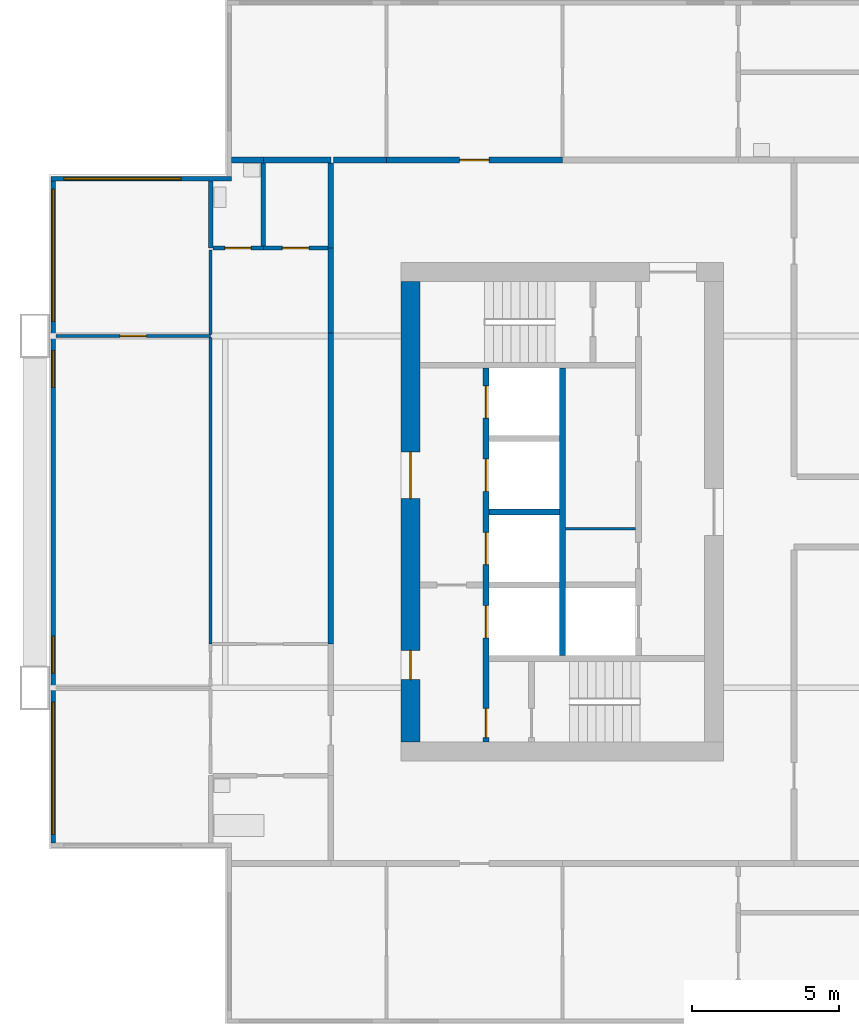
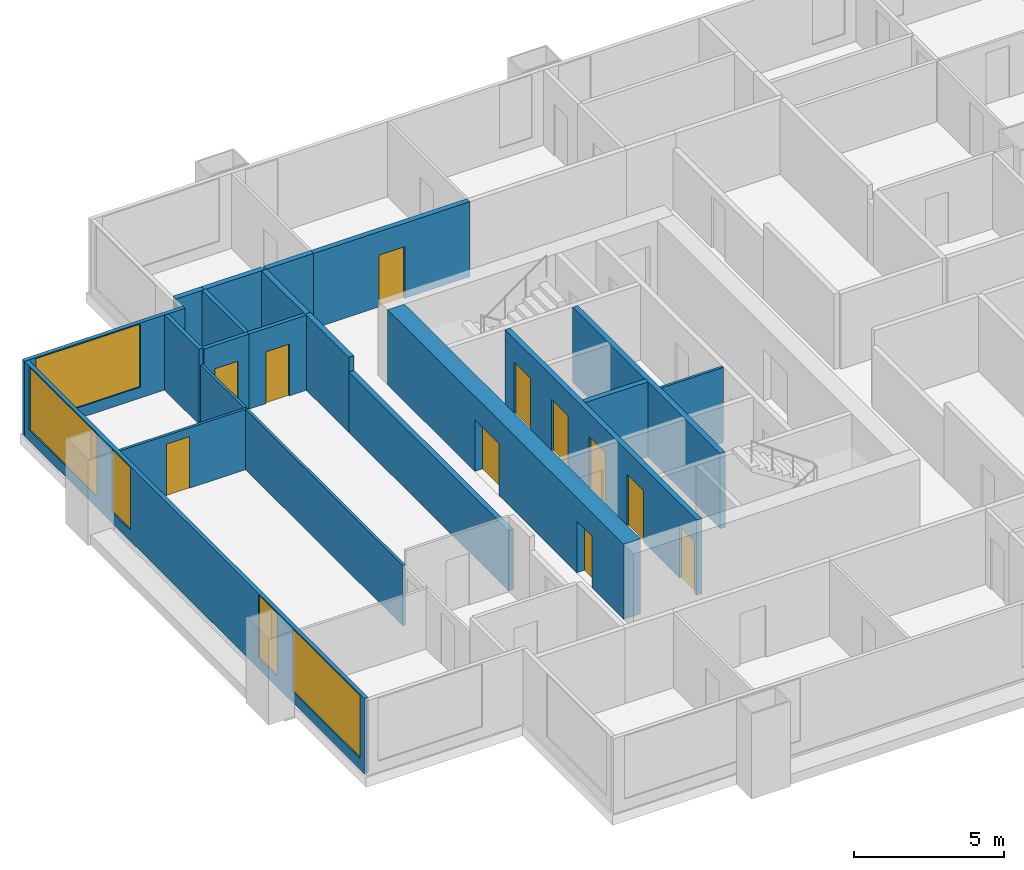
# One storey, part 3 of 11: 21 walls, 11 doors, 5 windows, 16 openings.
"""IFC4 building model written with IfcOpenShell, lengths in metres."""

import ifcopenshell
import ifcopenshell.guid

model = None  # the IFC model being written
_history = None  # IfcOwnerHistory: only IFC2X3 demands one
_inside = {}  # id of a spatial element -> (the spatial element, [elements in it])
_under = {}  # id of a project, library or spatial element -> (it, [spatial elements below it])
_declared = {}  # id of a project -> (the project, [libraries it declares])
_typed = {}  # id of a type object -> (the type object, [elements of that type])
_made_of = {}  # id of a material, layer set ... -> (it, [elements and type objects made of it])


def new_model(schema):
    """Start an empty IFC model of exactly this schema.

    Asked for "IFC4X3", IfcOpenShell would pick the latest addendum, in which some entities
    have other attributes; the version numbers below select the first issue.
    IFC2X3 requires an IfcOwnerHistory on every rooted entity: one is made here for all.
    """
    global model, _history
    if schema == "IFC4X3":
        model = ifcopenshell.file(schema_version=(4, 3, 0, 0))
    else:
        model = ifcopenshell.file(schema=schema)
    _inside.clear()
    _under.clear()
    _declared.clear()
    _typed.clear()
    _made_of.clear()
    _history = None
    if model.schema == "IFC2X3":
        org = make("IfcOrganization", Name="unknown")
        user = make(
            "IfcPersonAndOrganization",
            ThePerson=make("IfcPerson", FamilyName="unknown"),
            TheOrganization=org,
        )
        app = make(
            "IfcApplication",
            ApplicationDeveloper=org,
            Version="unknown",
            ApplicationFullName="unknown",
            ApplicationIdentifier="unknown",
        )
        _history = make(
            "IfcOwnerHistory",
            OwningUser=user,
            OwningApplication=app,
            ChangeAction="ADDED",
            CreationDate=0,
        )
    return model


def make(cls, **values):
    """One entity of the class cls with the attributes given. An attribute that is None is left unset."""
    return model.create_entity(
        cls, **{name: value for name, value in values.items() if value is not None}
    )


def rooted(cls, **values):
    """An entity with a GlobalId (a new one), such as an element, a storey or a relation."""
    return make(cls, GlobalId=ifcopenshell.guid.new(), OwnerHistory=_history, **values)


def si_unit(unit_type, name, prefix=None):
    """IfcSIUnit, for example si_unit("LENGTHUNIT", "METRE", prefix="MILLI")."""
    return make("IfcSIUnit", UnitType=unit_type, Prefix=prefix, Name=name)


def assignment(units):
    """IfcUnitAssignment: the units of a project."""
    return None if units is None else make("IfcUnitAssignment", Units=units)


def point(xyz):
    """IfcCartesianPoint."""
    return None if xyz is None else make("IfcCartesianPoint", Coordinates=xyz)


def direction(xyz):
    """IfcDirection."""
    return None if xyz is None else make("IfcDirection", DirectionRatios=xyz)


def frame(location, z_axis=None, x_axis=None):
    """IfcAxis2Placement3D, a coordinate frame: its origin and axes. An axis left out is left unset."""
    return make(
        "IfcAxis2Placement3D",
        Location=point(location),
        Axis=direction(z_axis),
        RefDirection=direction(x_axis),
    )


def frame_2d(location, x_axis=None):
    """IfcAxis2Placement2D, a coordinate frame in the plane: its origin and x axis."""
    return make(
        "IfcAxis2Placement2D", Location=point(location), RefDirection=direction(x_axis)
    )


def origin():
    """The frame at (0, 0, 0) with its axes left unset."""
    return frame((0.0, 0.0, 0.0))


def place(relative_to, where):
    """IfcLocalPlacement: puts the frame where relative to a parent placement (None: the world)."""
    return make(
        "IfcLocalPlacement", PlacementRelTo=relative_to, RelativePlacement=where
    )


def context(
    kind, dimensions, precision=None, world=None, true_north=None, identifier=None
):
    """IfcGeometricRepresentationContext, for example the 3D "Model" context."""
    return make(
        "IfcGeometricRepresentationContext",
        ContextIdentifier=identifier,
        ContextType=kind,
        CoordinateSpaceDimension=dimensions,
        Precision=precision,
        WorldCoordinateSystem=world,
        TrueNorth=true_north,
    )


def subcontext(parent, identifier, kind, view, scale=None):
    """IfcGeometricRepresentationSubContext, for example "Body" below "Model"."""
    return make(
        "IfcGeometricRepresentationSubContext",
        ContextIdentifier=identifier,
        ContextType=kind,
        ParentContext=parent,
        TargetScale=scale,
        TargetView=view,
    )


def project(units=None, contexts=None):
    """IfcProject with its units and contexts."""
    return rooted(
        "IfcProject",
        Name="project",
        RepresentationContexts=contexts,
        UnitsInContext=assignment(units),
    )


def spatial(cls, under=None, at=None, **own):
    """A site, building, storey or space (cls), placed at a placement, below another one or the project."""
    s = rooted(cls, ObjectPlacement=at, **own)
    if under is not None:
        _under.setdefault(under.id(), (under, []))[1].append(s)
    return s


def profile(cls, at=None, kind="AREA", **sizes):
    """A parametric profile (cls). Its sizes go by their IFC names, for example OverallWidth=200.0."""
    return make(cls, ProfileType=kind, Position=at, **sizes)


def rectangle(**sizes):
    """IfcRectangleProfileDef."""
    return profile("IfcRectangleProfileDef", **sizes)


def extrude(swept, where, along, depth):
    """IfcExtrudedAreaSolid: the profile swept, set in the frame where, extruded along a direction by depth."""
    return make(
        "IfcExtrudedAreaSolid",
        SweptArea=swept,
        Position=where,
        ExtrudedDirection=direction(along),
        Depth=depth,
    )


def shape(context_of_items, identifier, shape_type, items):
    """IfcShapeRepresentation: the items that make up one representation, for example the "Body"."""
    return make(
        "IfcShapeRepresentation",
        ContextOfItems=context_of_items,
        RepresentationIdentifier=identifier,
        RepresentationType=shape_type,
        Items=items,
    )


def material(Name=None, Category=None):
    """IfcMaterial."""
    return make("IfcMaterial", Name=Name, Category=Category)


def layer(
    of_material, thickness, ventilated=None, Name=None, Category=None, Priority=None
):
    """IfcMaterialLayer: one layer of a wall or slab, of a material (None: an air gap)."""
    return make(
        "IfcMaterialLayer",
        Material=of_material,
        LayerThickness=thickness,
        IsVentilated=ventilated,
        Name=Name,
        Category=Category,
        Priority=Priority,
    )


def layer_set(layers, Name=None):
    """IfcMaterialLayerSet."""
    return make("IfcMaterialLayerSet", MaterialLayers=layers, LayerSetName=Name)


def made_of(thing, what):
    """Note that an element or type object is made of a material, layer set ...; save() writes the relation."""
    if what is not None:
        _made_of.setdefault(what.id(), (what, []))[1].append(thing)
    return thing


def type_object(cls, material=None, **own):
    """A type object (cls), such as IfcWallType, which elements share."""
    return made_of(rooted(cls, **own), material)


def element(
    cls,
    number,
    at=None,
    inside=None,
    cuts=None,
    type_object=None,
    material=None,
    context=None,
    identifier="Body",
    shape_type=None,
    held_by="IfcProductDefinitionShape",
    body=None,
    shapes=None,
    **own,
):
    """One element of the class cls, such as IfcWall. Its Tag is "e" and its number.

    at: its placement. inside: the storey or other place that contains it. cuts: it is an
    opening in that element (IfcRelVoidsElement). A single representation is given by context,
    identifier, shape_type and body (its items); several are given by shapes. held_by: the class
    of the entity that holds the representations. save() writes the other relations.
    """
    e = rooted(cls, Tag="e%d" % number, ObjectPlacement=at, **own)
    if body is not None:
        shapes = [shape(context, identifier, shape_type, body)]
    if shapes is not None:
        e.Representation = make(held_by, Representations=shapes)
    if inside is not None:
        _inside.setdefault(inside.id(), (inside, []))[1].append(e)
    if cuts is not None:
        rooted(
            "IfcRelVoidsElement", RelatingBuildingElement=cuts, RelatedOpeningElement=e
        )
    if type_object is not None:
        _typed.setdefault(type_object.id(), (type_object, []))[1].append(e)
    return made_of(e, material)


def fill(opening, filler):
    """IfcRelFillsElement: the door or window that sits in an opening."""
    return rooted(
        "IfcRelFillsElement",
        RelatingOpeningElement=opening,
        RelatedBuildingElement=filler,
    )


def aggregate(whole, parts):
    """IfcRelAggregates: a whole, such as a stair, and the parts it consists of."""
    return rooted("IfcRelAggregates", RelatingObject=whole, RelatedObjects=parts)


def save(model, path):
    """Write the relations noted so far, then the file.

    IfcRelAggregates (storeys below a building ...), IfcRelContainedInSpatialStructure (elements
    in a storey), IfcRelDefinesByType, IfcRelAssociatesMaterial and IfcRelDeclares: one each for
    every whole, place, type object, material and project.
    """
    for whole, parts in _under.values():
        aggregate(whole, parts)
    for where, things in _inside.values():
        rooted(
            "IfcRelContainedInSpatialStructure",
            RelatedElements=things,
            RelatingStructure=where,
        )
    for kind, things in _typed.values():
        rooted("IfcRelDefinesByType", RelatedObjects=things, RelatingType=kind)
    for what, things in _made_of.values():
        rooted("IfcRelAssociatesMaterial", RelatedObjects=things, RelatingMaterial=what)
    for by, libraries in _declared.values():
        rooted("IfcRelDeclares", RelatingContext=by, RelatedDefinitions=libraries)
    model.write(path)


model = new_model("IFC4")

# Units and contexts
model_context = context("Model", 3, precision=1e-05, world=origin(), true_north=direction((0.0, 1.0)))
body_context = subcontext(model_context, "Body", "Model", "MODEL_VIEW")
ifc_project = project(units=[si_unit("LENGTHUNIT", "METRE"), si_unit("AREAUNIT", "SQUARE_METRE"), si_unit("VOLUMEUNIT", "CUBIC_METRE"), si_unit("PLANEANGLEUNIT", "RADIAN"), si_unit("MASSUNIT", "GRAM", prefix="KILO")], contexts=[model_context])

# Site, building, storey
site_placement = place(None, origin())
site = spatial("IfcSite", under=ifc_project, at=site_placement, CompositionType="ELEMENT")
building_placement = place(site_placement, origin())
building = spatial("IfcBuilding", under=site, at=building_placement, Name="Kitamizu Gate Tower and Museum", CompositionType="ELEMENT")
storey_placement = place(building_placement, frame((0.0, 0.0, 106.949951171875)))
storey = spatial("IfcBuildingStorey", under=building, at=storey_placement, Name="L27", CompositionType="ELEMENT", Elevation=106.949951171875)

# Wall, openings, doors
ifc_material_1 = material(Name="Concrete Fc60", Category="concrete")
ifc_layer_1 = layer(ifc_material_1, 0.64990234375)
ifc_layer_set_1 = layer_set([ifc_layer_1], Name="Concrete Fc60")
wall_type_1 = type_object("IfcWallType", Name="Core wall 650", PredefinedType="SHEAR", material=ifc_layer_set_1)
wall_1_placement = place(storey_placement, frame((12.824951171875, 22.14990234375, 0.0), z_axis=(0.0, 0.0, 1.0), x_axis=(0.0, 1.0, 0.0)))
wall_1 = element("IfcWall", 1, at=wall_1_placement, inside=storey, type_object=wall_type_1, Name="Core wall WOUT", PredefinedType="SHEAR", context=body_context, shape_type="SweptSolid", body=[
    extrude(rectangle(XDim=15.7001953125, YDim=0.64990234375, at=frame_2d((7.85009765625, 0.0))), origin(), (0.0, 0.0, 1.0), 3.050048828125),
])
opening_1_placement = place(wall_1_placement, frame((8.300048828125, 0.0, 0.0)))
opening_1 = element("IfcOpeningElement", 2, at=opening_1_placement, cuts=wall_1, Name="Opening L27-058", PredefinedType="OPENING", context=body_context, shape_type="SweptSolid", body=[
    extrude(rectangle(XDim=1.60009765625, YDim=2.10009765625, at=frame_2d((0.800048828125, 1.050048828125))), frame((0.0, 0.3349609375, 0.0), z_axis=(0.0, -1.0, 0.0), x_axis=(1.0, 0.0, 0.0)), (0.0, 0.0, 1.0), 0.669921875),
])
opening_2_placement = place(wall_1_placement, frame((2.125, 0.0, 0.0)))
opening_2 = element("IfcOpeningElement", 3, at=opening_2_placement, cuts=wall_1, Name="Opening L27-059", PredefinedType="OPENING", context=body_context, shape_type="SweptSolid", body=[
    extrude(rectangle(XDim=1.0, YDim=2.10009765625, at=frame_2d((0.5, 1.050048828125))), frame((0.0, 0.3349609375, 0.0), z_axis=(0.0, -1.0, 0.0), x_axis=(1.0, 0.0, 0.0)), (0.0, 0.0, 1.0), 0.669921875),
])
ifc_material_2 = material(Name="Timber door set", Category="wood")
door_type_1 = type_object("IfcDoorType", Name="Entrance door 1600", OperationType="DOUBLE_DOOR_SINGLE_SWING", PredefinedType="DOOR", material=ifc_material_2)
door_1_placement = place(opening_1_placement, origin())
door_1 = element("IfcDoor", 4, at=door_1_placement, inside=storey, type_object=door_type_1, Name="Lobby door L27-058", OperationType="DOUBLE_DOOR_SINGLE_SWING", OverallHeight=2.10009765625, OverallWidth=1.60009765625, PredefinedType="DOOR", context=body_context, shape_type="SweptSolid", body=[
    extrude(rectangle(XDim=1.60009765625, YDim=2.10009765625, at=frame_2d((0.800048828125, 1.050048828125))), frame((0.0, 0.02490234375, 0.0), z_axis=(0.0, -1.0, 0.0), x_axis=(1.0, 0.0, 0.0)), (0.0, 0.0, 1.0), 0.050048828125),
])
fill(opening_1, door_1)
ifc_material_3 = material(Name="Hollow metal door set")
door_type_2 = type_object("IfcDoorType", Name="Fire door 1000", OperationType="NOTDEFINED", PredefinedType="DOOR", material=ifc_material_3)
door_2_placement = place(opening_2_placement, frame((1.0, 0.0, 0.0), x_axis=(-1.0, 0.0, 0.0)))
door_2 = element("IfcDoor", 5, at=door_2_placement, inside=storey, type_object=door_type_2, Name="Fire-fighting lobby door L27-059", OperationType="SINGLE_SWING_RIGHT", OverallHeight=2.10009765625, OverallWidth=1.0, PredefinedType="DOOR", context=body_context, shape_type="SweptSolid", body=[
    extrude(rectangle(XDim=1.0, YDim=2.10009765625, at=frame_2d((0.5, 1.050048828125))), frame((0.0, 0.02490234375, 0.0), z_axis=(0.0, -1.0, 0.0), x_axis=(1.0, 0.0, 0.0)), (0.0, 0.0, 1.0), 0.050048828125),
])
fill(opening_2, door_2)

# Wall
ifc_material_4 = material(Name="Gypsum board on galvanised stud")
ifc_layer_2 = layer(ifc_material_4, 0.10009765625)
ifc_layer_set_2 = layer_set([ifc_layer_2], Name="Gypsum board on galvanised stud")
wall_type_2 = type_object("IfcWallType", Name="Partition 100", PredefinedType="PARTITIONING", material=ifc_layer_set_2)
wall_2_placement = place(storey_placement, frame((18.10009765625, 29.425048828125, 0.0), z_axis=(0.0, 0.0, 1.0), x_axis=(1.0, 0.0, 0.0)))
element("IfcWall", 6, at=wall_2_placement, inside=storey, type_object=wall_type_2, Name="Partition WPF1", PredefinedType="PARTITIONING", context=body_context, shape_type="SweptSolid", body=[
    extrude(rectangle(XDim=2.39990234375, YDim=0.10009765625, at=frame_2d((1.199951171875, 0.0))), origin(), (0.0, 0.0, 1.0), 3.050048828125),
])

# Wall, opening, door
ifc_material_5 = material(Name="Gypsum board on galvanised stud")
ifc_layer_3 = layer(ifc_material_5, 0.10009765625)
ifc_layer_set_3 = layer_set([ifc_layer_3], Name="Gypsum board on galvanised stud")
wall_type_3 = type_object("IfcWallType", Name="Partition 100 NOT RATED", PredefinedType="PARTITIONING", material=ifc_layer_set_3)
wall_3_placement = place(storey_placement, frame((6.0, 36.0, 0.0), z_axis=(0.0, 0.0, 1.0), x_axis=(-1.0, 0.0, 0.0)))
wall_3 = element("IfcWall", 7, at=wall_3_placement, inside=storey, type_object=wall_type_3, Name="Partition L27-022", PredefinedType="PARTITIONING", context=body_context, shape_type="SweptSolid", body=[
    extrude(rectangle(XDim=5.280029296875, YDim=0.10009765625, at=frame_2d((2.64013671875, 0.0))), origin(), (0.0, 0.0, 1.0), 2.449951171875),
])
opening_3_placement = place(wall_3_placement, frame((2.18994140625, 0.0, 0.0)))
opening_3 = element("IfcOpeningElement", 8, at=opening_3_placement, cuts=wall_3, Name="Opening L27-010", PredefinedType="OPENING", context=body_context, shape_type="SweptSolid", body=[
    extrude(rectangle(XDim=0.89990234375, YDim=2.10009765625, at=frame_2d((0.449951171875, 1.050048828125))), frame((0.0, 0.06005859375, 0.0), z_axis=(0.0, -1.0, 0.0), x_axis=(1.0, 0.0, 0.0)), (0.0, 0.0, 1.0), 0.1201171875),
])
ifc_material_6 = material(Name="Timber door set", Category="wood")
door_type_3 = type_object("IfcDoorType", Name="Room door 900", OperationType="NOTDEFINED", PredefinedType="DOOR", material=ifc_material_6)
door_3_placement = place(opening_3_placement, frame((0.89990234375, 0.0, 0.0), x_axis=(-1.0, 0.0, 0.0)))
door_3 = element("IfcDoor", 9, at=door_3_placement, inside=storey, type_object=door_type_3, Name="Door L27-010", OperationType="SINGLE_SWING_LEFT", OverallHeight=2.10009765625, OverallWidth=0.89990234375, PredefinedType="DOOR", context=body_context, shape_type="SweptSolid", body=[
    extrude(rectangle(XDim=0.89990234375, YDim=2.10009765625, at=frame_2d((0.449951171875, 1.050048828125))), frame((0.0, 0.02490234375, 0.0), z_axis=(0.0, -1.0, 0.0), x_axis=(1.0, 0.0, 0.0)), (0.0, 0.0, 1.0), 0.050048828125),
])
fill(opening_3, door_3)

# Walls
wall_4_placement = place(storey_placement, frame((6.0, 25.5, 0.0), z_axis=(0.0, 0.0, 1.0), x_axis=(0.0, 1.0, 0.0)))
element("IfcWall", 10, at=wall_4_placement, inside=storey, type_object=wall_type_3, Name="Partition L27-024", PredefinedType="PARTITIONING", context=body_context, shape_type="SweptSolid", body=[
    extrude(rectangle(XDim=10.449951171875, YDim=0.10009765625, at=frame_2d((5.22509765625, 0.0))), origin(), (0.0, 0.0, 1.0), 2.449951171875),
])
wall_5_placement = place(storey_placement, frame((6.0, 36.050048828125, 0.0), z_axis=(0.0, 0.0, 1.0), x_axis=(0.0, 1.0, 0.0)))
element("IfcWall", 11, at=wall_5_placement, inside=storey, type_object=wall_type_3, Name="Partition L27-025", PredefinedType="PARTITIONING", context=body_context, shape_type="SweptSolid", body=[
    extrude(rectangle(XDim=2.875, YDim=0.10009765625, at=frame_2d((1.4375, 0.0))), origin(), (0.0, 0.0, 1.0), 2.449951171875),
])
ifc_material_7 = material(Name="Gypsum board on galvanised stud")
ifc_layer_4 = layer(ifc_material_7, 0.14990234375)
ifc_layer_set_4 = layer_set([ifc_layer_4], Name="Gypsum board on galvanised stud")
wall_type_4 = type_object("IfcWallType", Name="Partition 150", PredefinedType="PARTITIONING", material=ifc_layer_set_4)
wall_6_placement = place(storey_placement, frame((6.0, 39.0, 0.0), z_axis=(0.0, 0.0, 1.0), x_axis=(0.0, 1.0, 0.0)))
element("IfcWall", 12, at=wall_6_placement, inside=storey, type_object=wall_type_4, Name="Partition L27-026", PredefinedType="PARTITIONING", context=body_context, shape_type="SweptSolid", body=[
    extrude(rectangle(XDim=2.280029296875, YDim=0.14990234375, at=frame_2d((1.14013671875, 0.0))), origin(), (0.0, 0.0, 1.0), 3.050048828125),
])

# Wall, opening, door
wall_7_placement = place(storey_placement, frame((7.800048828125, 39.0, 0.0), z_axis=(0.0, 0.0, 1.0), x_axis=(-1.0, 0.0, 0.0)))
wall_7 = element("IfcWall", 13, at=wall_7_placement, inside=storey, type_object=wall_type_4, Name="Partition L27-032", PredefinedType="PARTITIONING", context=body_context, shape_type="SweptSolid", body=[
    extrude(rectangle(XDim=1.72509765625, YDim=0.14990234375, at=frame_2d((0.862548828125, 0.0))), origin(), (0.0, 0.0, 1.0), 3.050048828125),
])
opening_4_placement = place(wall_7_placement, frame((0.41259765625, 0.0, 0.0)))
opening_4 = element("IfcOpeningElement", 14, at=opening_4_placement, cuts=wall_7, Name="Opening L27-012", PredefinedType="OPENING", context=body_context, shape_type="SweptSolid", body=[
    extrude(rectangle(XDim=0.89990234375, YDim=2.10009765625, at=frame_2d((0.449951171875, 1.050048828125))), frame((0.0, 0.0849609375, 0.0), z_axis=(0.0, -1.0, 0.0), x_axis=(1.0, 0.0, 0.0)), (0.0, 0.0, 1.0), 0.169921875),
])
ifc_material_8 = material(Name="Timber door set", Category="wood")
door_type_4 = type_object("IfcDoorType", Name="Bathroom door 900", OperationType="NOTDEFINED", PredefinedType="DOOR", material=ifc_material_8)
door_4_placement = place(opening_4_placement, frame((0.89990234375, 0.0, 0.0), x_axis=(-1.0, 0.0, 0.0)))
door_4 = element("IfcDoor", 15, at=door_4_placement, inside=storey, type_object=door_type_4, Name="Bathroom door L27-012", OperationType="SINGLE_SWING_LEFT", OverallHeight=2.10009765625, OverallWidth=0.89990234375, PredefinedType="DOOR", context=body_context, shape_type="SweptSolid", body=[
    extrude(rectangle(XDim=0.89990234375, YDim=2.10009765625, at=frame_2d((0.449951171875, 1.050048828125))), frame((0.0, 0.02490234375, 0.0), z_axis=(0.0, -1.0, 0.0), x_axis=(1.0, 0.0, 0.0)), (0.0, 0.0, 1.0), 0.050048828125),
])
fill(opening_4, door_4)

wall_8_placement = place(storey_placement, frame((10.0, 39.0, 0.0), z_axis=(0.0, 0.0, 1.0), x_axis=(-1.0, 0.0, 0.0)))
wall_8 = element("IfcWall", 16, at=wall_8_placement, inside=storey, type_object=wall_type_4, Name="Partition L27-033", PredefinedType="PARTITIONING", context=body_context, shape_type="SweptSolid", body=[
    extrude(rectangle(XDim=2.199951171875, YDim=0.14990234375, at=frame_2d((1.10009765625, 0.0))), origin(), (0.0, 0.0, 1.0), 3.050048828125),
])
opening_5_placement = place(wall_8_placement, frame((0.64990234375, 0.0, 0.0)))
opening_5 = element("IfcOpeningElement", 17, at=opening_5_placement, cuts=wall_8, Name="Opening L27-013", PredefinedType="OPENING", context=body_context, shape_type="SweptSolid", body=[
    extrude(rectangle(XDim=0.89990234375, YDim=2.10009765625, at=frame_2d((0.449951171875, 1.050048828125))), frame((0.0, 0.0849609375, 0.0), z_axis=(0.0, -1.0, 0.0), x_axis=(1.0, 0.0, 0.0)), (0.0, 0.0, 1.0), 0.169921875),
])
door_5_placement = place(opening_5_placement, frame((0.89990234375, 0.0, 0.0), x_axis=(-1.0, 0.0, 0.0)))
door_5 = element("IfcDoor", 18, at=door_5_placement, inside=storey, type_object=door_type_4, Name="Bathroom door L27-013", OperationType="SINGLE_SWING_RIGHT", OverallHeight=2.10009765625, OverallWidth=0.89990234375, PredefinedType="DOOR", context=body_context, shape_type="SweptSolid", body=[
    extrude(rectangle(XDim=0.89990234375, YDim=2.10009765625, at=frame_2d((0.449951171875, 1.050048828125))), frame((0.0, 0.02490234375, 0.0), z_axis=(0.0, -1.0, 0.0), x_axis=(1.0, 0.0, 0.0)), (0.0, 0.0, 1.0), 0.050048828125),
])
fill(opening_5, door_5)

# Walls
wall_9_placement = place(storey_placement, frame((7.800048828125, 39.074951171875, 0.0), z_axis=(0.0, 0.0, 1.0), x_axis=(0.0, 1.0, 0.0)))
element("IfcWall", 19, at=wall_9_placement, inside=storey, type_object=wall_type_4, Name="Partition L27-036", PredefinedType="PARTITIONING", context=body_context, shape_type="SweptSolid", body=[
    extrude(rectangle(XDim=2.824951171875, YDim=0.14990234375, at=frame_2d((1.41259765625, 0.0))), origin(), (0.0, 0.0, 1.0), 3.050048828125),
])
ifc_material_9 = material(Name="Gypsum board on galvanised stud")
ifc_layer_5 = layer(ifc_material_9, 0.199951171875)
ifc_layer_set_5 = layer_set([ifc_layer_5], Name="Gypsum board on galvanised stud")
wall_type_5 = type_object("IfcWallType", Name="Partition 200", PredefinedType="PARTITIONING", material=ifc_layer_set_5)
wall_10_placement = place(storey_placement, frame((10.10009765625, 25.5, 0.0), z_axis=(0.0, 0.0, 1.0), x_axis=(0.0, 1.0, 0.0)))
element("IfcWall", 20, at=wall_10_placement, inside=storey, type_object=wall_type_5, Name="Partition L27-034", PredefinedType="PARTITIONING", context=body_context, shape_type="SweptSolid", body=[
    extrude(rectangle(XDim=10.60009765625, YDim=0.199951171875, at=frame_2d((5.300048828125, 0.0))), origin(), (0.0, 0.0, 1.0), 2.449951171875),
])
wall_11_placement = place(storey_placement, frame((10.10009765625, 36.10009765625, 0.0), z_axis=(0.0, 0.0, 1.0), x_axis=(0.0, 1.0, 0.0)))
element("IfcWall", 21, at=wall_11_placement, inside=storey, type_object=wall_type_5, Name="Partition L27-035", PredefinedType="PARTITIONING", context=body_context, shape_type="SweptSolid", body=[
    extrude(rectangle(XDim=2.89990234375, YDim=0.199951171875, at=frame_2d((1.449951171875, 0.0))), origin(), (0.0, 0.0, 1.0), 3.050048828125),
])
wall_12_placement = place(storey_placement, frame((7.800048828125, 42.0, 0.0), z_axis=(0.0, 0.0, 1.0), x_axis=(-1.0, 0.0, 0.0)))
element("IfcWall", 22, at=wall_12_placement, inside=storey, type_object=wall_type_5, Name="Partition L27-037", PredefinedType="PARTITIONING", context=body_context, shape_type="SweptSolid", body=[
    extrude(rectangle(XDim=1.080078125, YDim=0.199951171875, at=frame_2d((0.5400390625, 0.0))), origin(), (0.0, 0.0, 1.0), 3.050048828125),
])
wall_13_placement = place(storey_placement, frame((10.10009765625, 42.0, 0.0), z_axis=(0.0, 0.0, 1.0), x_axis=(-1.0, 0.0, 0.0)))
element("IfcWall", 23, at=wall_13_placement, inside=storey, type_object=wall_type_5, Name="Partition L27-038", PredefinedType="PARTITIONING", context=body_context, shape_type="SweptSolid", body=[
    extrude(rectangle(XDim=2.300048828125, YDim=0.199951171875, at=frame_2d((1.14990234375, 0.0))), origin(), (0.0, 0.0, 1.0), 3.050048828125),
])
wall_14_placement = place(storey_placement, frame((10.10009765625, 39.0, 0.0), z_axis=(0.0, 0.0, 1.0), x_axis=(0.0, 1.0, 0.0)))
element("IfcWall", 24, at=wall_14_placement, inside=storey, type_object=wall_type_5, Name="Partition L27-039", PredefinedType="PARTITIONING", context=body_context, shape_type="SweptSolid", body=[
    extrude(rectangle(XDim=2.89990234375, YDim=0.199951171875, at=frame_2d((1.449951171875, 0.0))), origin(), (0.0, 0.0, 1.0), 3.050048828125),
])
wall_15_placement = place(storey_placement, frame((10.199951171875, 42.0, 0.0), z_axis=(0.0, 0.0, 1.0), x_axis=(1.0, 0.0, 0.0)))
element("IfcWall", 25, at=wall_15_placement, inside=storey, type_object=wall_type_5, Name="Partition L27-089", PredefinedType="PARTITIONING", context=body_context, shape_type="SweptSolid", body=[
    extrude(rectangle(XDim=1.800048828125, YDim=0.199951171875, at=frame_2d((0.89990234375, 0.0))), origin(), (0.0, 0.0, 1.0), 3.050048828125),
])

# Wall, opening, door
wall_16_placement = place(storey_placement, frame((12.0, 42.0, 0.0), z_axis=(0.0, 0.0, 1.0), x_axis=(1.0, 0.0, 0.0)))
wall_16 = element("IfcWall", 26, at=wall_16_placement, inside=storey, type_object=wall_type_5, Name="Partition L27-091", PredefinedType="PARTITIONING", context=body_context, shape_type="SweptSolid", body=[
    extrude(rectangle(XDim=6.0, YDim=0.199951171875, at=frame_2d((3.0, 0.0))), origin(), (0.0, 0.0, 1.0), 3.050048828125),
])
opening_6_placement = place(wall_16_placement, frame((2.5, 0.0, 0.0)))
opening_6 = element("IfcOpeningElement", 27, at=opening_6_placement, cuts=wall_16, Name="Opening L27-034", PredefinedType="OPENING", context=body_context, shape_type="SweptSolid", body=[
    extrude(rectangle(XDim=1.0, YDim=2.10009765625, at=frame_2d((0.5, 1.050048828125))), frame((0.0, 0.10986328125, 0.0), z_axis=(0.0, -1.0, 0.0), x_axis=(1.0, 0.0, 0.0)), (0.0, 0.0, 1.0), 0.219970703125),
])
ifc_material_10 = material(Name="Timber door set", Category="wood")
door_type_5 = type_object("IfcDoorType", Name="Flat entrance door 1000", OperationType="NOTDEFINED", PredefinedType="DOOR", material=ifc_material_10)
door_6_placement = place(opening_6_placement, origin())
door_6 = element("IfcDoor", 28, at=door_6_placement, inside=storey, type_object=door_type_5, Name="Flat entrance door L27-034", OperationType="SINGLE_SWING_LEFT", OverallHeight=2.10009765625, OverallWidth=1.0, PredefinedType="DOOR", context=body_context, shape_type="SweptSolid", body=[
    extrude(rectangle(XDim=1.0, YDim=2.10009765625, at=frame_2d((0.5, 1.050048828125))), frame((0.0, 0.02490234375, 0.0), z_axis=(0.0, -1.0, 0.0), x_axis=(1.0, 0.0, 0.0)), (0.0, 0.0, 1.0), 0.050048828125),
])
fill(opening_6, door_6)

# Wall, openings, doors
ifc_material_11 = material(Name="Concrete Fc42", Category="concrete")
ifc_layer_6 = layer(ifc_material_11, 0.199951171875)
ifc_layer_set_6 = layer_set([ifc_layer_6], Name="Concrete Fc42")
wall_type_6 = type_object("IfcWallType", Name="Shaft wall 200", PredefinedType="SOLIDWALL", material=ifc_layer_set_6)
wall_17_placement = place(storey_placement, frame((15.39990234375, 22.14990234375, 0.0), z_axis=(0.0, 0.0, 1.0), x_axis=(0.0, 1.0, 0.0)))
wall_17 = element("IfcWall", 29, at=wall_17_placement, inside=storey, type_object=wall_type_6, Name="Shaft wall WWEST", PredefinedType="SOLIDWALL", context=body_context, shape_type="SweptSolid", body=[
    extrude(rectangle(XDim=12.75, YDim=0.199951171875, at=frame_2d((6.375, 0.0))), origin(), (0.0, 0.0, 1.0), 3.050048828125),
])
opening_7_placement = place(wall_17_placement, frame((3.550048828125, 0.0, 0.0)))
opening_7 = element("IfcOpeningElement", 30, at=opening_7_placement, cuts=wall_17, Name="Opening LD", PredefinedType="OPENING", context=body_context, shape_type="SweptSolid", body=[
    extrude(rectangle(XDim=1.10009765625, YDim=2.10009765625, at=frame_2d((0.550048828125, 1.050048828125))), frame((0.0, 0.10986328125, 0.0), z_axis=(0.0, -1.0, 0.0), x_axis=(1.0, 0.0, 0.0)), (0.0, 0.0, 1.0), 0.219970703125),
])
opening_8_placement = place(wall_17_placement, frame((6.050048828125, 0.0, 0.0)))
opening_8 = element("IfcOpeningElement", 31, at=opening_8_placement, cuts=wall_17, Name="Opening LD", PredefinedType="OPENING", context=body_context, shape_type="SweptSolid", body=[
    extrude(rectangle(XDim=1.10009765625, YDim=2.10009765625, at=frame_2d((0.550048828125, 1.050048828125))), frame((0.0, 0.10986328125, 0.0), z_axis=(0.0, -1.0, 0.0), x_axis=(1.0, 0.0, 0.0)), (0.0, 0.0, 1.0), 0.219970703125),
])
opening_9_placement = place(wall_17_placement, frame((8.550048828125, 0.0, 0.0)))
opening_9 = element("IfcOpeningElement", 32, at=opening_9_placement, cuts=wall_17, Name="Opening LD", PredefinedType="OPENING", context=body_context, shape_type="SweptSolid", body=[
    extrude(rectangle(XDim=1.10009765625, YDim=2.10009765625, at=frame_2d((0.550048828125, 1.050048828125))), frame((0.0, 0.10986328125, 0.0), z_axis=(0.0, -1.0, 0.0), x_axis=(1.0, 0.0, 0.0)), (0.0, 0.0, 1.0), 0.219970703125),
])
opening_10_placement = place(wall_17_placement, frame((11.050048828125, 0.0, 0.0)))
opening_10 = element("IfcOpeningElement", 33, at=opening_10_placement, cuts=wall_17, Name="Opening LD", PredefinedType="OPENING", context=body_context, shape_type="SweptSolid", body=[
    extrude(rectangle(XDim=1.10009765625, YDim=2.10009765625, at=frame_2d((0.550048828125, 1.050048828125))), frame((0.0, 0.10986328125, 0.0), z_axis=(0.0, -1.0, 0.0), x_axis=(1.0, 0.0, 0.0)), (0.0, 0.0, 1.0), 0.219970703125),
])
opening_11_placement = place(wall_17_placement, frame((0.14990234375, 0.0, 0.0)))
opening_11 = element("IfcOpeningElement", 34, at=opening_11_placement, cuts=wall_17, Name="Opening L27-054", PredefinedType="OPENING", context=body_context, shape_type="SweptSolid", body=[
    extrude(rectangle(XDim=1.0, YDim=2.10009765625, at=frame_2d((0.5, 1.050048828125))), frame((0.0, 0.10986328125, 0.0), z_axis=(0.0, -1.0, 0.0), x_axis=(1.0, 0.0, 0.0)), (0.0, 0.0, 1.0), 0.219970703125),
])
door_7_placement = place(opening_11_placement, frame((1.0, 0.0, 0.0), x_axis=(-1.0, 0.0, 0.0)))
door_7 = element("IfcDoor", 35, at=door_7_placement, inside=storey, type_object=door_type_2, Name="Stair lobby door L27-054", OperationType="SINGLE_SWING_LEFT", OverallHeight=2.10009765625, OverallWidth=1.0, PredefinedType="DOOR", context=body_context, shape_type="SweptSolid", body=[
    extrude(rectangle(XDim=1.0, YDim=2.10009765625, at=frame_2d((0.5, 1.050048828125))), frame((0.0, 0.02490234375, 0.0), z_axis=(0.0, -1.0, 0.0), x_axis=(1.0, 0.0, 0.0)), (0.0, 0.0, 1.0), 0.050048828125),
])
fill(opening_11, door_7)
ifc_material_12 = material(Name="Hollow metal door set")
door_type_6 = type_object("IfcDoorType", Name="Landing door 1100", OperationType="SLIDING_TO_LEFT", PredefinedType="DOOR", material=ifc_material_12)
door_8_placement = place(opening_7_placement, origin())
door_8 = element("IfcDoor", 36, at=door_8_placement, inside=storey, type_object=door_type_6, Name="Landing door WFF1", OperationType="SLIDING_TO_LEFT", OverallHeight=2.10009765625, OverallWidth=1.10009765625, PredefinedType="DOOR", context=body_context, shape_type="SweptSolid", body=[
    extrude(rectangle(XDim=1.10009765625, YDim=2.10009765625, at=frame_2d((0.550048828125, 1.050048828125))), frame((0.0, 0.02490234375, 0.0), z_axis=(0.0, -1.0, 0.0), x_axis=(1.0, 0.0, 0.0)), (0.0, 0.0, 1.0), 0.050048828125),
])
fill(opening_7, door_8)
door_9_placement = place(opening_8_placement, origin())
door_9 = element("IfcDoor", 37, at=door_9_placement, inside=storey, type_object=door_type_6, Name="Landing door WL1", OperationType="SLIDING_TO_LEFT", OverallHeight=2.10009765625, OverallWidth=1.10009765625, PredefinedType="DOOR", context=body_context, shape_type="SweptSolid", body=[
    extrude(rectangle(XDim=1.10009765625, YDim=2.10009765625, at=frame_2d((0.550048828125, 1.050048828125))), frame((0.0, 0.02490234375, 0.0), z_axis=(0.0, -1.0, 0.0), x_axis=(1.0, 0.0, 0.0)), (0.0, 0.0, 1.0), 0.050048828125),
])
fill(opening_8, door_9)
door_10_placement = place(opening_9_placement, origin())
door_10 = element("IfcDoor", 38, at=door_10_placement, inside=storey, type_object=door_type_6, Name="Landing door WL2", OperationType="SLIDING_TO_LEFT", OverallHeight=2.10009765625, OverallWidth=1.10009765625, PredefinedType="DOOR", context=body_context, shape_type="SweptSolid", body=[
    extrude(rectangle(XDim=1.10009765625, YDim=2.10009765625, at=frame_2d((0.550048828125, 1.050048828125))), frame((0.0, 0.02490234375, 0.0), z_axis=(0.0, -1.0, 0.0), x_axis=(1.0, 0.0, 0.0)), (0.0, 0.0, 1.0), 0.050048828125),
])
fill(opening_9, door_10)
door_11_placement = place(opening_10_placement, origin())
door_11 = element("IfcDoor", 39, at=door_11_placement, inside=storey, type_object=door_type_6, Name="Landing door WL3", OperationType="SLIDING_TO_LEFT", OverallHeight=2.10009765625, OverallWidth=1.10009765625, PredefinedType="DOOR", context=body_context, shape_type="SweptSolid", body=[
    extrude(rectangle(XDim=1.10009765625, YDim=2.10009765625, at=frame_2d((0.550048828125, 1.050048828125))), frame((0.0, 0.02490234375, 0.0), z_axis=(0.0, -1.0, 0.0), x_axis=(1.0, 0.0, 0.0)), (0.0, 0.0, 1.0), 0.050048828125),
])
fill(opening_10, door_11)

# Walls
wall_18_placement = place(storey_placement, frame((18.0, 25.10009765625, 0.0), z_axis=(0.0, 0.0, 1.0), x_axis=(0.0, 1.0, 0.0)))
element("IfcWall", 40, at=wall_18_placement, inside=storey, type_object=wall_type_6, Name="Shaft wall WMID", PredefinedType="SOLIDWALL", context=body_context, shape_type="SweptSolid", body=[
    extrude(rectangle(XDim=9.7998046875, YDim=0.199951171875, at=frame_2d((4.89990234375, 0.0))), origin(), (0.0, 0.0, 1.0), 3.050048828125),
])
wall_19_placement = place(storey_placement, frame((15.5, 30.0, 0.0), z_axis=(0.0, 0.0, 1.0), x_axis=(1.0, 0.0, 0.0)))
element("IfcWall", 41, at=wall_19_placement, inside=storey, type_object=wall_type_6, Name="Shaft wall WDVW1", PredefinedType="SOLIDWALL", context=body_context, shape_type="SweptSolid", body=[
    extrude(rectangle(XDim=2.39990234375, YDim=0.199951171875, at=frame_2d((1.199951171875, 0.0))), origin(), (0.0, 0.0, 1.0), 3.050048828125),
])

# Wall, opening, window
ifc_material_13 = material(Name="Bronze anodised aluminium frame with insulated spandrel and tinted glass", Category="aluminium")
ifc_layer_7 = layer(ifc_material_13, 0.14990234375)
ifc_layer_set_7 = layer_set([ifc_layer_7], Name="Bronze anodised aluminium frame with insulated spandrel and tinted glass")
wall_type_7 = type_object("IfcWallType", Name="WINDOW WALL 150 BRONZE FRAME EI 30", PredefinedType="ELEMENTEDWALL", material=ifc_layer_set_7)
wall_20_placement = place(storey_placement, frame((0.56005859375, 41.364990234375, 0.0), z_axis=(0.0, 0.0, 1.0), x_axis=(1.0, 0.0, 0.0)))
wall_20 = element("IfcWall", 42, at=wall_20_placement, inside=storey, type_object=wall_type_7, Name="Window wall north L27", PredefinedType="ELEMENTEDWALL", context=body_context, shape_type="SweptSolid", body=[
    extrude(rectangle(XDim=6.14990234375, YDim=0.14990234375, at=frame_2d((3.074951171875, 0.0))), origin(), (0.0, 0.0, 1.0), 3.050048828125),
])
opening_12_placement = place(wall_20_placement, frame((0.43994140625, 0.0, 0.449951171875)))
opening_12 = element("IfcOpeningElement", 43, at=opening_12_placement, cuts=wall_20, Name="Opening W16", PredefinedType="OPENING", context=body_context, shape_type="SweptSolid", body=[
    extrude(rectangle(XDim=4.0, YDim=2.550048828125, at=frame_2d((2.0, 1.27490234375))), frame((0.0, 0.0849609375, 0.0), z_axis=(0.0, -1.0, 0.0), x_axis=(1.0, 0.0, 0.0)), (0.0, 0.0, 1.0), 0.169921875),
])
ifc_material_14 = material(Name="Bronze anodised aluminium frame, tinted triple glazing", Category="aluminium")
window_type_1 = type_object("IfcWindowType", Name="WINDOW 4000 x 2550 SILL 450", PartitioningType="SINGLE_PANEL", PredefinedType="WINDOW", material=ifc_material_14)
window_1_placement = place(opening_12_placement, origin())
window_1 = element("IfcWindow", 44, at=window_1_placement, inside=storey, type_object=window_type_1, Name="Window W16 L27", OverallHeight=2.550048828125, OverallWidth=4.0, PartitioningType="SINGLE_PANEL", PredefinedType="WINDOW", context=body_context, shape_type="SweptSolid", body=[
    extrude(rectangle(XDim=4.0, YDim=2.550048828125, at=frame_2d((2.0, 1.27490234375))), frame((0.0, 0.030029296875, 0.0), z_axis=(0.0, -1.0, 0.0), x_axis=(1.0, 0.0, 0.0)), (0.0, 0.0, 1.0), 0.06005859375),
])
fill(opening_12, window_1)

# Wall, openings, windows
wall_21_placement = place(storey_placement, frame((0.635009765625, 18.7099609375, 0.0), z_axis=(0.0, 0.0, 1.0), x_axis=(0.0, 1.0, 0.0)))
wall_21 = element("IfcWall", 45, at=wall_21_placement, inside=storey, type_object=wall_type_7, Name="Window wall west L27", PredefinedType="ELEMENTEDWALL", context=body_context, shape_type="SweptSolid", body=[
    extrude(rectangle(XDim=22.580078125, YDim=0.14990234375, at=frame_2d((11.2900390625, 0.0))), origin(), (0.0, 0.0, 1.0), 3.050048828125),
])
opening_13_placement = place(wall_21_placement, frame((0.2900390625, 0.0, 0.449951171875)))
opening_13 = element("IfcOpeningElement", 46, at=opening_13_placement, cuts=wall_21, Name="Opening W15", PredefinedType="OPENING", context=body_context, shape_type="SweptSolid", body=[
    extrude(rectangle(XDim=4.5, YDim=2.550048828125, at=frame_2d((2.25, 1.27490234375))), frame((0.0, 0.0849609375, 0.0), z_axis=(0.0, -1.0, 0.0), x_axis=(1.0, 0.0, 0.0)), (0.0, 0.0, 1.0), 0.169921875),
])
opening_14_placement = place(wall_21_placement, frame((5.7900390625, 0.0, 0.449951171875)))
opening_14 = element("IfcOpeningElement", 47, at=opening_14_placement, cuts=wall_21, Name="Opening W27", PredefinedType="OPENING", context=body_context, shape_type="SweptSolid", body=[
    extrude(rectangle(XDim=1.25, YDim=2.550048828125, at=frame_2d((0.625, 1.27490234375))), frame((0.0, 0.0849609375, 0.0), z_axis=(0.0, -1.0, 0.0), x_axis=(1.0, 0.0, 0.0)), (0.0, 0.0, 1.0), 0.169921875),
])
opening_15_placement = place(wall_21_placement, frame((15.5400390625, 0.0, 0.449951171875)))
opening_15 = element("IfcOpeningElement", 48, at=opening_15_placement, cuts=wall_21, Name="Opening W27", PredefinedType="OPENING", context=body_context, shape_type="SweptSolid", body=[
    extrude(rectangle(XDim=1.25, YDim=2.550048828125, at=frame_2d((0.625, 1.27490234375))), frame((0.0, 0.0849609375, 0.0), z_axis=(0.0, -1.0, 0.0), x_axis=(1.0, 0.0, 0.0)), (0.0, 0.0, 1.0), 0.169921875),
])
opening_16_placement = place(wall_21_placement, frame((17.7900390625, 0.0, 0.449951171875)))
opening_16 = element("IfcOpeningElement", 49, at=opening_16_placement, cuts=wall_21, Name="Opening W15", PredefinedType="OPENING", context=body_context, shape_type="SweptSolid", body=[
    extrude(rectangle(XDim=4.5, YDim=2.550048828125, at=frame_2d((2.25, 1.27490234375))), frame((0.0, 0.0849609375, 0.0), z_axis=(0.0, -1.0, 0.0), x_axis=(1.0, 0.0, 0.0)), (0.0, 0.0, 1.0), 0.169921875),
])
ifc_material_15 = material(Name="Bronze anodised aluminium frame, tinted triple glazing", Category="aluminium")
window_type_2 = type_object("IfcWindowType", Name="WINDOW 1250 x 2550 SILL 450", PartitioningType="SINGLE_PANEL", PredefinedType="WINDOW", material=ifc_material_15)
window_2_placement = place(opening_14_placement, origin())
window_2 = element("IfcWindow", 50, at=window_2_placement, inside=storey, type_object=window_type_2, Name="Window W27 L27", OverallHeight=2.550048828125, OverallWidth=1.25, PartitioningType="SINGLE_PANEL", PredefinedType="WINDOW", context=body_context, shape_type="SweptSolid", body=[
    extrude(rectangle(XDim=1.25, YDim=2.550048828125, at=frame_2d((0.625, 1.27490234375))), frame((0.0, 0.030029296875, 0.0), z_axis=(0.0, -1.0, 0.0), x_axis=(1.0, 0.0, 0.0)), (0.0, 0.0, 1.0), 0.06005859375),
])
fill(opening_14, window_2)
window_3_placement = place(opening_15_placement, origin())
window_3 = element("IfcWindow", 51, at=window_3_placement, inside=storey, type_object=window_type_2, Name="Window W27 L27", OverallHeight=2.550048828125, OverallWidth=1.25, PartitioningType="SINGLE_PANEL", PredefinedType="WINDOW", context=body_context, shape_type="SweptSolid", body=[
    extrude(rectangle(XDim=1.25, YDim=2.550048828125, at=frame_2d((0.625, 1.27490234375))), frame((0.0, 0.030029296875, 0.0), z_axis=(0.0, -1.0, 0.0), x_axis=(1.0, 0.0, 0.0)), (0.0, 0.0, 1.0), 0.06005859375),
])
fill(opening_15, window_3)
ifc_material_16 = material(Name="Bronze anodised aluminium frame, tinted triple glazing", Category="aluminium")
window_type_3 = type_object("IfcWindowType", Name="WINDOW 4500 x 2550 SILL 450", PartitioningType="SINGLE_PANEL", PredefinedType="WINDOW", material=ifc_material_16)
window_4_placement = place(opening_13_placement, origin())
window_4 = element("IfcWindow", 52, at=window_4_placement, inside=storey, type_object=window_type_3, Name="Window W15 L27", OverallHeight=2.550048828125, OverallWidth=4.5, PartitioningType="SINGLE_PANEL", PredefinedType="WINDOW", context=body_context, shape_type="SweptSolid", body=[
    extrude(rectangle(XDim=4.5, YDim=2.550048828125, at=frame_2d((2.25, 1.27490234375))), frame((0.0, 0.030029296875, 0.0), z_axis=(0.0, -1.0, 0.0), x_axis=(1.0, 0.0, 0.0)), (0.0, 0.0, 1.0), 0.06005859375),
])
fill(opening_13, window_4)
window_5_placement = place(opening_16_placement, origin())
window_5 = element("IfcWindow", 53, at=window_5_placement, inside=storey, type_object=window_type_3, Name="Window W15 L27", OverallHeight=2.550048828125, OverallWidth=4.5, PartitioningType="SINGLE_PANEL", PredefinedType="WINDOW", context=body_context, shape_type="SweptSolid", body=[
    extrude(rectangle(XDim=4.5, YDim=2.550048828125, at=frame_2d((2.25, 1.27490234375))), frame((0.0, 0.030029296875, 0.0), z_axis=(0.0, -1.0, 0.0), x_axis=(1.0, 0.0, 0.0)), (0.0, 0.0, 1.0), 0.06005859375),
])
fill(opening_16, window_5)

save(model, "model.ifc")
